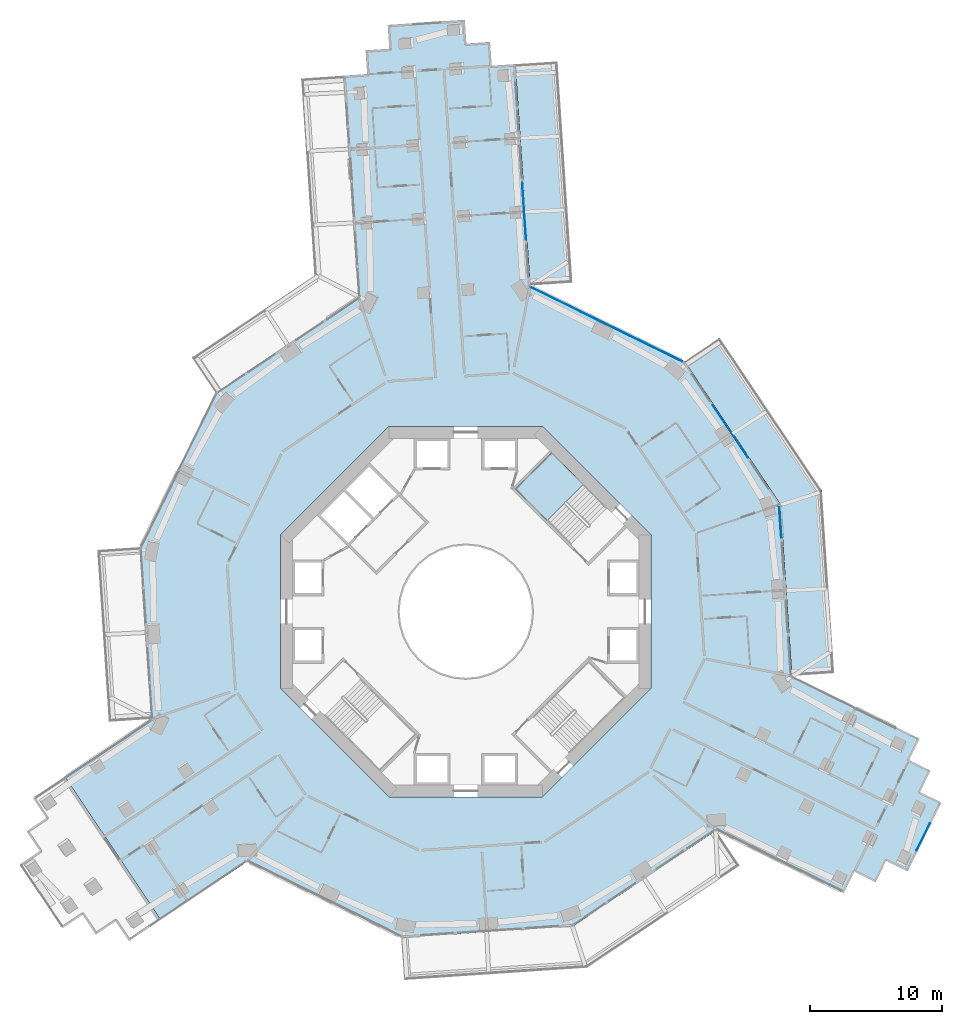
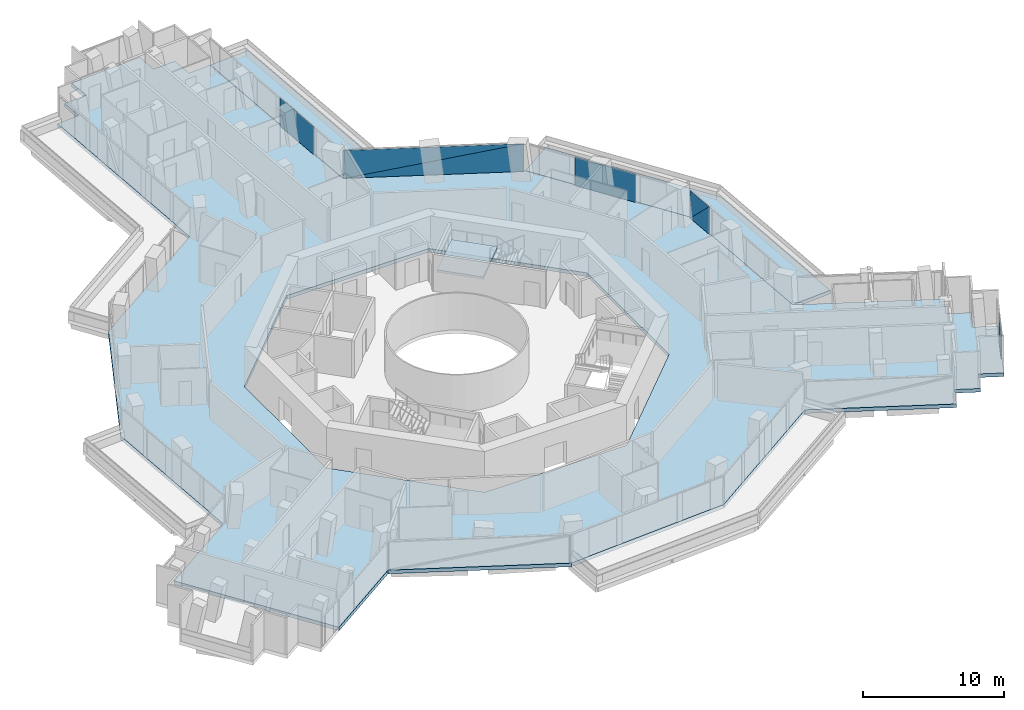
# One storey, part 15 of 25: 7 plates, 4 slabs, 6 elements without a shape of their own.
"""IFC4 building model written with IfcOpenShell, lengths in metres."""

from ifc_helpers import new_model, si_unit, direction, frame, origin, origin_2d, place, context, subcontext, project, spatial, polyline, rectangle, outline, extrude, material, layer, layer_set, type_object, element, aggregate, save


model = new_model("IFC4")

# Units and contexts
model_context = context("Model", 3, precision=1e-05, world=origin(), true_north=direction((0.0, 1.0)))
body_context = subcontext(model_context, "Body", "Model", "MODEL_VIEW")
ifc_project = project(units=[si_unit("LENGTHUNIT", "METRE"), si_unit("AREAUNIT", "SQUARE_METRE"), si_unit("VOLUMEUNIT", "CUBIC_METRE"), si_unit("PLANEANGLEUNIT", "RADIAN"), si_unit("MASSUNIT", "GRAM", prefix="KILO")], contexts=[model_context])

# Site, building, storey
site_placement = place(None, origin())
site = spatial("IfcSite", under=ifc_project, at=site_placement, CompositionType="ELEMENT")
building_placement = place(site_placement, origin())
building = spatial("IfcBuilding", under=site, at=building_placement, Name="Verdalira Terraces Hotel", CompositionType="ELEMENT")
storey_placement = place(building_placement, frame((0.0, 0.0, 49.5)))
storey = spatial("IfcBuildingStorey", under=building, at=storey_placement, Name="L10", CompositionType="ELEMENT", Elevation=49.5)

# Slabs
ifc_material_1 = material(Name="Precast concrete C40/50", Category="concrete")
ifc_layer_1 = layer(ifc_material_1, 0.31005859375)
ifc_layer_set_1 = layer_set([ifc_layer_1], Name="Balcony deck 310")
slab_type_1 = type_object("IfcSlabType", Name="Balcony deck 310", PredefinedType="FLOOR", material=ifc_layer_set_1)
slab_1_placement = place(storey_placement, frame((0.0, 0.0, -0.310059)))
element("IfcSlab", 1, at=slab_1_placement, inside=storey, type_object=slab_type_1, Name="Balcony deck", PredefinedType="FLOOR", context=body_context, shape_type="SweptSolid", body=[
    extrude(outline(polyline([(19.187012, 20.689697), (16.529297, 18.907715), (23.768555, 8.110107), (24.63916, -4.86084), (27.832031, -4.646484), (26.904053, 9.179932), (19.187012, 20.689697)])), origin(), (0.0, 0.0, 1.0), 0.310059),
])
slab_2_placement = place(storey_placement, frame((0.0, 0.0, -0.310059)))
element("IfcSlab", 2, at=slab_2_placement, inside=storey, type_object=slab_type_1, Name="Balcony deck", PredefinedType="FLOOR", context=body_context, shape_type="SweptSolid", body=[
    extrude(outline(polyline([(6.931885, 41.56543), (3.739014, 41.351318), (4.86084, 24.63916), (8.053711, 24.853516), (6.931885, 41.56543)])), origin(), (0.0, 0.0, 1.0), 0.310059),
])

# Curtain wall, plates
ifc_material_2 = material(Name="Clear glass", Category="glass")
ifc_layer_2 = layer(ifc_material_2, 0.14990234375)
ifc_layer_set_2 = layer_set([ifc_layer_2], Name="CW1 curtain wall")
curtain_wall_type_1 = type_object("IfcCurtainWallType", Name="CW1 curtain wall", PredefinedType="NOTDEFINED", material=ifc_layer_set_2)
curtain_wall_1_placement = place(storey_placement, origin())
curtain_wall_1 = element("IfcCurtainWall", 3, at=curtain_wall_1_placement, inside=storey, type_object=curtain_wall_type_1, Name="CW1 curtain wall L10 edge 39", PredefinedType="NOTDEFINED")
ifc_material_3 = material(Name="Clear glass", Category="glass")
ifc_layer_3 = layer(ifc_material_3, 0.028076171875)
ifc_layer_set_3 = layer_set([ifc_layer_3], Name="CW1 glass unit 28")
plate_type_1 = type_object("IfcPlateType", Name="CW1 glass unit 28", PredefinedType="CURTAIN_PANEL", material=ifc_layer_set_3)
plate_1_placement = place(storey_placement, frame((23.768311, 6.787109, 1.212402), z_axis=(0.997754957, 0.066970481, 0.0), x_axis=(-0.066970481, 0.997754957, 0.0)))
plate_1 = element("IfcPlate", 4, at=plate_1_placement, type_object=plate_type_1, Name="CW1 glass unit", PredefinedType="CURTAIN_PANEL", context=body_context, shape_type="SweptSolid", body=[
    extrude(outline(polyline([(-1.219727, -1.212402), (1.219727, -1.212402), (-1.219727, 1.212402), (-1.219727, -1.212402)])), origin(), (0.0, 0.0, 1.0), 0.028076),
])
plate_2_placement = place(storey_placement, frame((23.739258, 6.785156, 1.212402), z_axis=(0.997754957, 0.066970481, 0.0), x_axis=(-0.066970481, 0.997754957, 0.0)))
plate_2 = element("IfcPlate", 5, at=plate_2_placement, type_object=plate_type_1, Name="CW1 glass unit", PredefinedType="CURTAIN_PANEL", context=body_context, shape_type="SweptSolid", body=[
    extrude(outline(polyline([(1.219727, -1.212402), (1.219727, 1.212402), (-1.219727, 1.212402), (1.219727, -1.212402)])), origin(), (0.0, 0.0, 1.0), 0.028076),
])
aggregate(curtain_wall_1, [plate_1, plate_2])

# Curtain wall, plate
curtain_wall_2_placement = place(storey_placement, origin())
curtain_wall_2 = element("IfcCurtainWall", 6, at=curtain_wall_2_placement, inside=storey, type_object=curtain_wall_type_1, Name="CW1 curtain wall L10 edge 40", PredefinedType="NOTDEFINED")
plate_3_placement = place(storey_placement, frame((19.987061, 13.615479, 0.0), z_axis=(0.0, 0.0, 1.0), x_axis=(-0.556875616, 0.830595899, 0.0)))
plate_3 = element("IfcPlate", 7, at=plate_3_placement, type_object=plate_type_1, Name="CW1 glass unit", PredefinedType="CURTAIN_PANEL", context=body_context, shape_type="SweptSolid", body=[
    extrude(rectangle(XDim=4.759277, YDim=0.028076, at=origin_2d()), origin(), (0.0, 0.0, 1.0), 2.425049),
])
aggregate(curtain_wall_2, [plate_3])

# Curtain wall, plates
curtain_wall_3_placement = place(storey_placement, origin())
curtain_wall_3 = element("IfcCurtainWall", 8, at=curtain_wall_3_placement, inside=storey, type_object=curtain_wall_type_1, Name="CW1 curtain wall L10 edge 41", PredefinedType="NOTDEFINED")
plate_4_placement = place(storey_placement, frame((10.637695, 21.702393, 1.212402), z_axis=(0.440879341, 0.89756638, 0.0), x_axis=(-0.89756638, 0.440879341, 0.0)))
plate_4 = element("IfcPlate", 9, at=plate_4_placement, type_object=plate_type_1, Name="CW1 glass unit", PredefinedType="CURTAIN_PANEL", context=body_context, shape_type="SweptSolid", body=[
    extrude(outline(polyline([(-6.419922, -1.212402), (6.419922, -1.212402), (-6.419922, 1.212402), (-6.419922, -1.212402)])), origin(), (0.0, 0.0, 1.0), 0.028076),
])
plate_5_placement = place(storey_placement, frame((10.624756, 21.676514, 1.212402), z_axis=(0.440879341, 0.89756638, 0.0), x_axis=(-0.89756638, 0.440879341, 0.0)))
plate_5 = element("IfcPlate", 10, at=plate_5_placement, type_object=plate_type_1, Name="CW1 glass unit", PredefinedType="CURTAIN_PANEL", context=body_context, shape_type="SweptSolid", body=[
    extrude(outline(polyline([(6.419922, -1.212402), (6.419922, 1.212402), (-6.419922, 1.212402), (6.419922, -1.212402)])), origin(), (0.0, 0.0, 1.0), 0.028076),
])
aggregate(curtain_wall_3, [plate_4, plate_5])

# Curtain wall, plate
ifc_material_4 = material(Name="Clear glass", Category="glass")
ifc_layer_4 = layer(ifc_material_4, 0.14990234375)
ifc_layer_set_4 = layer_set([ifc_layer_4], Name="CW2 curtain wall")
curtain_wall_type_2 = type_object("IfcCurtainWallType", Name="CW2 curtain wall", PredefinedType="NOTDEFINED", material=ifc_layer_set_4)
curtain_wall_4_placement = place(storey_placement, origin())
curtain_wall_4 = element("IfcCurtainWall", 11, at=curtain_wall_4_placement, inside=storey, type_object=curtain_wall_type_2, Name="CW2 curtain wall L10 edge 0", PredefinedType="NOTDEFINED")
ifc_material_5 = material(Name="Clear glass", Category="glass")
ifc_layer_5 = layer(ifc_material_5, 0.031982421875)
ifc_layer_set_5 = layer_set([ifc_layer_5], Name="CW2 glass unit 32")
plate_type_2 = type_object("IfcPlateType", Name="CW2 glass unit 32", PredefinedType="CURTAIN_PANEL", material=ifc_layer_set_5)
plate_6_placement = place(storey_placement, frame((4.409424, 30.242432, 0.0), z_axis=(0.0, 0.0, 1.0), x_axis=(-0.066970481, 0.997754957, 0.0)))
plate_6 = element("IfcPlate", 12, at=plate_6_placement, type_object=plate_type_2, Name="CW2 glass unit", PredefinedType="CURTAIN_PANEL", context=body_context, shape_type="SweptSolid", body=[
    extrude(rectangle(XDim=4.29834, YDim=0.031982, at=origin_2d()), origin(), (0.0, 0.0, 1.0), 2.425049),
])
aggregate(curtain_wall_4, [plate_6])

ifc_material_6 = material(Name="Clear glass", Category="glass")
ifc_layer_6 = layer(ifc_material_6, 0.14990234375)
ifc_layer_set_6 = layer_set([ifc_layer_6], Name="CW3 curtain wall")
curtain_wall_type_3 = type_object("IfcCurtainWallType", Name="CW3 curtain wall", PredefinedType="NOTDEFINED", material=ifc_layer_set_6)
curtain_wall_5_placement = place(storey_placement, origin())
curtain_wall_5 = element("IfcCurtainWall", 13, at=curtain_wall_5_placement, inside=storey, type_object=curtain_wall_type_3, Name="CW3 curtain wall L10 edge 33", PredefinedType="NOTDEFINED")
ifc_material_7 = material(Name="Clear glass", Category="glass")
ifc_layer_7 = layer(ifc_material_7, 0.035888671875)
ifc_layer_set_7 = layer_set([ifc_layer_7], Name="CW3 glass unit 36")
plate_type_3 = type_object("IfcPlateType", Name="CW3 glass unit 36", PredefinedType="CURTAIN_PANEL", material=ifc_layer_set_7)
plate_7_placement = place(storey_placement, frame((34.567627, -17.025879, 0.0), z_axis=(0.0, 0.0, 1.0), x_axis=(0.440879341, 0.89756638, 0.0)))
plate_7 = element("IfcPlate", 14, at=plate_7_placement, type_object=plate_type_3, Name="CW3 glass unit", PredefinedType="CURTAIN_PANEL", context=body_context, shape_type="SweptSolid", body=[
    extrude(rectangle(XDim=2.263428, YDim=0.035889, at=origin_2d()), origin(), (0.0, 0.0, 1.0), 2.425049),
])
aggregate(curtain_wall_5, [plate_7])

# Stair, slab
ifc_material_8 = material(Name="Concrete C40", Category="concrete")
stair_type = type_object("IfcStairType", Name="Core stair 20 risers 1900 mm wide", PredefinedType="HALF_TURN_STAIR", material=ifc_material_8)
stair_placement = place(storey_placement, origin())
stair = element("IfcStair", 15, at=stair_placement, inside=storey, type_object=stair_type, Name="L10 Exit stair ST1", PredefinedType="HALF_TURN_STAIR")
ifc_material_9 = material(Name="Concrete C40", Category="concrete")
ifc_layer_8 = layer(ifc_material_9, 0.199951171875)
ifc_layer_set_8 = layer_set([ifc_layer_8], Name="Core stair landing 200 mm")
slab_type_2 = type_object("IfcSlabType", Name="Core stair landing 200 mm", PredefinedType="LANDING", material=ifc_layer_set_8)
slab_3_placement = place(storey_placement, frame((0.0, 0.0, 1.550049)))
slab_3 = element("IfcSlab", 16, at=slab_3_placement, type_object=slab_type_2, Name="ST1 landing 1", PredefinedType="LANDING", context=body_context, shape_type="SweptSolid", body=[
    extrude(outline(polyline([(8.895752, 9.630371), (6.505371, 12.020752), (3.747559, 9.263184), (6.137939, 6.872803), (8.895752, 9.630371)])), origin(), (0.0, 0.0, 1.0), 0.199951),
])
aggregate(stair, [slab_3])

# Slab
ifc_material_10 = material(Name="Concrete C40", Category="concrete")
ifc_layer_9 = layer(ifc_material_10, 0.31005859375)
ifc_layer_set_9 = layer_set([ifc_layer_9], Name="Floor slab 310 C40")
slab_type_3 = type_object("IfcSlabType", Name="Floor slab 310 C40", PredefinedType="FLOOR", material=ifc_layer_set_9)
slab_4_placement = place(storey_placement, frame((0.0, 0.0, -0.310059)))
element("IfcSlab", 17, at=slab_4_placement, inside=storey, type_object=slab_type_3, Name="Floor slab L10", PredefinedType="FLOOR", context=body_context, shape_type="SweptSolid", body=[
    extrude(outline(polyline([(-24.63916, 4.86084), (-23.768555, -8.110107), (-30.288086, -12.480957), (-23.048584, -23.278809), (-16.529297, -18.907715), (-4.86084, -24.63916), (8.110107, -23.768555), (18.907715, -16.529297), (28.556396, -21.268555), (29.349854, -19.652832), (30.965576, -20.446289), (31.759033, -18.830811), (33.374756, -19.624512), (35.931885, -14.418457), (34.316162, -13.625), (35.109863, -12.009277), (33.494141, -11.21582), (34.287598, -9.600098), (24.63916, -4.86084), (23.768555, 8.110107), (16.529297, 18.907715), (4.86084, 24.63916), (3.739014, 41.351318), (1.943115, 41.230713), (1.82251, 43.026611), (0.026611, 42.906006), (-0.093994, 44.702148), (-5.880859, 44.313721), (-5.760498, 42.517578), (-7.556396, 42.397217), (-7.435791, 40.601318), (-9.231689, 40.480713), (-8.110107, 23.768555), (-18.907715, 16.529297), (-24.63916, 4.86084)]), holes=[polyline([(5.799072, 14.0), (14.0, 5.799072), (14.0, -5.799072), (5.799072, -14.0), (-5.799072, -14.0), (-14.0, -5.799072), (-14.0, 5.799072), (-5.799072, 14.0), (5.799072, 14.0)])]), origin(), (0.0, 0.0, 1.0), 0.310059),
])

save(model, "model.ifc")
